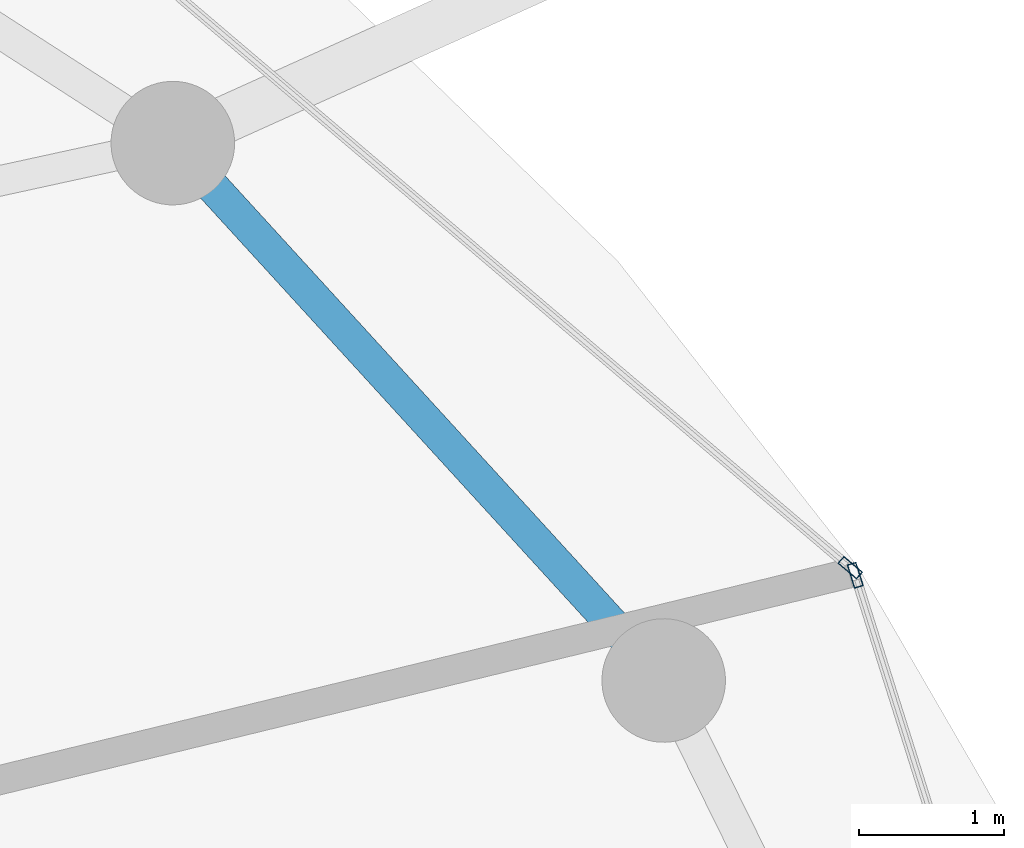
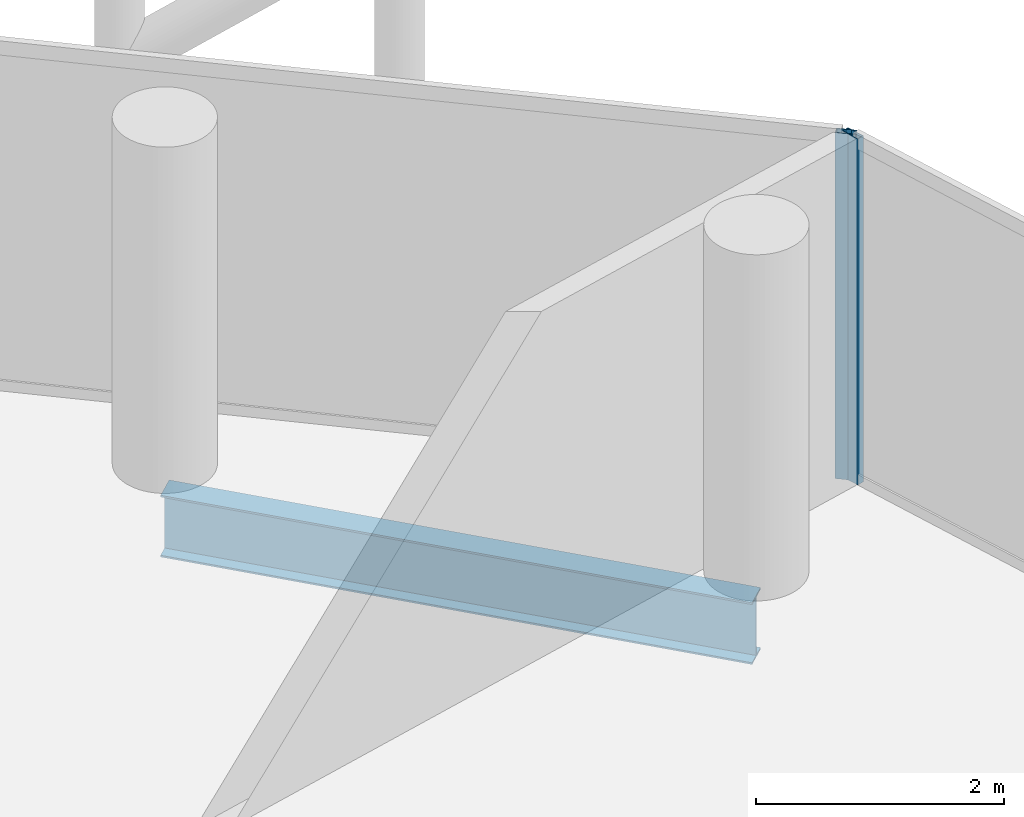
# One storey, part 17 of 27: 2 members, 1 beam, 2 elements without a shape of their own.
"""IFC4 building model written with IfcOpenShell, lengths in metres."""

from ifc_helpers import new_model, si_unit, direction, frame, origin, origin_2d, place, context, subcontext, project, spatial, hollow_rectangle, i_section, extrude, material, layer, layer_set, material_profile, profile_set, type_object, element, aggregate, save


model = new_model("IFC4")

# Units and contexts
model_context = context("Model", 3, precision=1e-05, world=origin(), true_north=direction((0.0, 1.0)))
body_context = subcontext(model_context, "Body", "Model", "MODEL_VIEW")
ifc_project = project(units=[si_unit("LENGTHUNIT", "METRE"), si_unit("AREAUNIT", "SQUARE_METRE"), si_unit("VOLUMEUNIT", "CUBIC_METRE"), si_unit("PLANEANGLEUNIT", "RADIAN"), si_unit("MASSUNIT", "GRAM", prefix="KILO")], contexts=[model_context])

# Site, building, storey
site_placement = place(None, origin())
site = spatial("IfcSite", under=ifc_project, at=site_placement, CompositionType="ELEMENT")
building_placement = place(site_placement, origin())
building = spatial("IfcBuilding", under=site, at=building_placement, Name="Nuhasar Tower", CompositionType="ELEMENT")
storey_placement = place(building_placement, frame((0.0, 0.0, 219.10009765625)))
storey = spatial("IfcBuildingStorey", under=building, at=storey_placement, Name="L53", CompositionType="ELEMENT", Elevation=219.10009765625)

# Beam
ifc_material_1 = material(Name="Steel S355", Category="steel")
ifc_material_profile_1 = material_profile(ifc_material_1, i_section(OverallWidth=0.22802734375, OverallDepth=0.60791015625, WebThickness=0.01123046875, FlangeThickness=0.017333984375, at=origin_2d()), Name="W24X76")
ifc_profile_set_1 = profile_set([ifc_material_profile_1], Name="Steel S355")
beam_type = type_object("IfcBeamType", Name="BM-RING-W24X76", PredefinedType="SPANDREL", material=ifc_profile_set_1)
beam_placement = place(storey_placement, frame((57.403076171875, 35.72509765625, -0.544189453125), z_axis=(-0.674449692975, 0.738320805373, 0.0), x_axis=(-0.738320805373, -0.674449692975, 0.0)))
element("IfcBeam", 1, at=beam_placement, inside=storey, type_object=beam_type, Name="L53 Perimeter Ring Spandrel 03", PredefinedType="SPANDREL", context=body_context, shape_type="SweptSolid", body=[
    extrude(i_section(OverallWidth=0.22802734375, OverallDepth=0.60791015625, WebThickness=0.01123046875, FlangeThickness=0.017333984375, at=origin_2d()), origin(), (0.0, 0.0, 1.0), 5.00732421875),
])

# Curtain wall, member
ifc_material_2 = material(Name="Aluminium 6063-T6", Category="aluminium")
ifc_layer = layer(ifc_material_2, 0.18994140625)
ifc_layer_set = layer_set([ifc_layer], Name="Aluminium 6063-T6")
curtain_wall_type = type_object("IfcCurtainWallType", Name="CW-Z3-RES", PredefinedType="NOTDEFINED", material=ifc_layer_set)
curtain_wall_1_placement = place(storey_placement, origin())
curtain_wall_1 = element("IfcCurtainWall", 2, at=curtain_wall_1_placement, inside=storey, type_object=curtain_wall_type, Name="L53 Unitised Curtain Wall 01", PredefinedType="NOTDEFINED")
ifc_material_profile_2 = material_profile(ifc_material_2, hollow_rectangle(XDim=0.06494140625, YDim=0.169921875, WallThickness=0.0048828125, at=origin_2d()), Name="CWM-4")
ifc_profile_set_2 = profile_set([ifc_material_profile_2], Name="Aluminium 6063-T6")
member_type = type_object("IfcMemberType", Name="CW-MUL-S4", PredefinedType="MULLION", material=ifc_profile_set_2)
member_1_placement = place(storey_placement, frame((58.720703125, 36.448974609375, 0.0), z_axis=(0.0, 0.0, 1.0), x_axis=(-0.95380429279, -0.30042864553, 0.0)))
member_1 = element("IfcMember", 3, at=member_1_placement, type_object=member_type, Name="CW-Z3 mullion 2", PredefinedType="MULLION", context=body_context, shape_type="SweptSolid", body=[
    extrude(hollow_rectangle(XDim=0.06494140625, YDim=0.169921875, WallThickness=0.0048828125, at=origin_2d()), origin(), (0.0, 0.0, 1.0), 3.409912109375),
])
aggregate(curtain_wall_1, [member_1])

curtain_wall_2_placement = place(storey_placement, origin())
curtain_wall_2 = element("IfcCurtainWall", 4, at=curtain_wall_2_placement, inside=storey, type_object=curtain_wall_type, Name="L53 Unitised Curtain Wall 02", PredefinedType="NOTDEFINED")
member_2_placement = place(storey_placement, frame((58.686279296875, 36.5009765625, 0.0), z_axis=(0.0, 0.0, 1.0), x_axis=(-0.64789521578, -0.761729472562, 0.0)))
member_2 = element("IfcMember", 5, at=member_2_placement, type_object=member_type, Name="CW-Z3 mullion 1", PredefinedType="MULLION", context=body_context, shape_type="SweptSolid", body=[
    extrude(hollow_rectangle(XDim=0.06494140625, YDim=0.169921875, WallThickness=0.0048828125, at=origin_2d()), origin(), (0.0, 0.0, 1.0), 3.409912109375),
])
aggregate(curtain_wall_2, [member_2])

save(model, "model.ifc")
